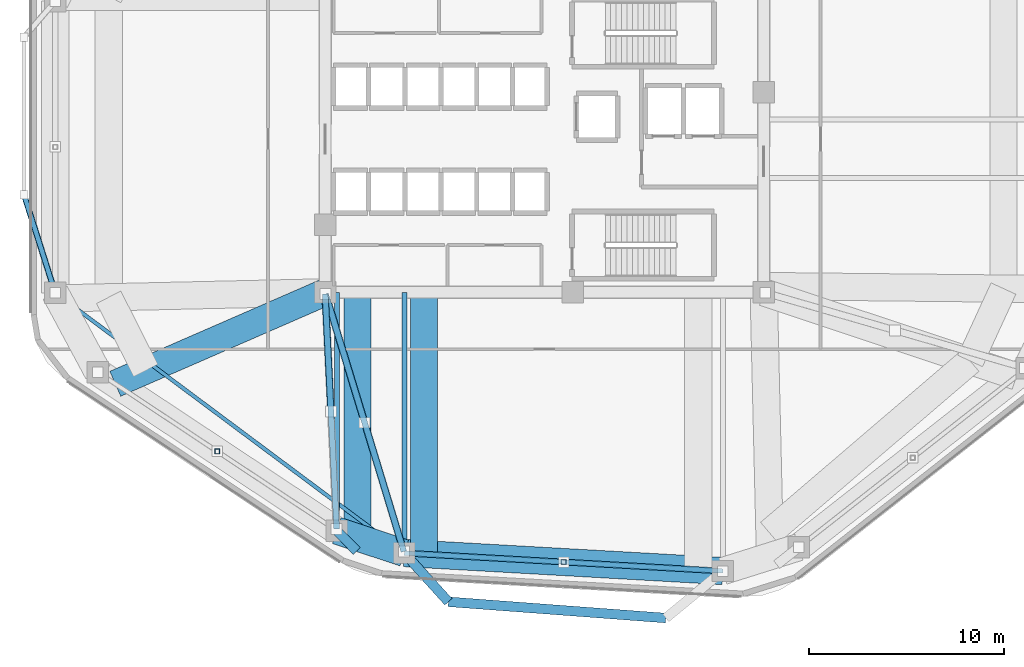
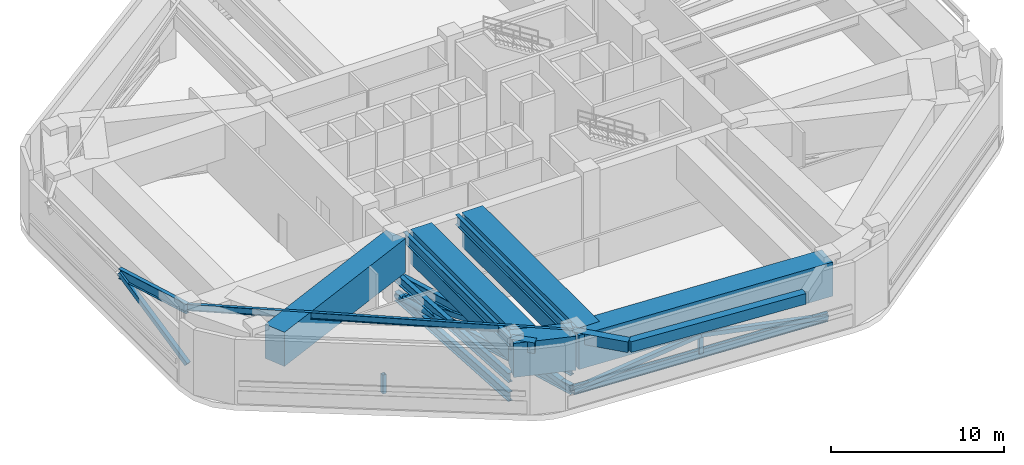
# One storey, part 2 of 12: 13 members, 12 beams.
"""IFC4 building model written with IfcOpenShell, lengths in metres."""

from ifc_helpers import new_model, si_unit, direction, frame, origin, origin_2d, place, context, subcontext, project, spatial, rectangle, hollow_rectangle, hollow_circle, i_section, extrude, material, material_profile, profile_set, type_object, element, save


model = new_model("IFC4")

# Units and contexts
model_context = context("Model", 3, precision=1e-05, world=origin(), true_north=direction((0.0, 1.0)))
body_context = subcontext(model_context, "Body", "Model", "MODEL_VIEW")
ifc_project = project(units=[si_unit("LENGTHUNIT", "METRE"), si_unit("AREAUNIT", "SQUARE_METRE"), si_unit("VOLUMEUNIT", "CUBIC_METRE"), si_unit("PLANEANGLEUNIT", "RADIAN"), si_unit("MASSUNIT", "GRAM", prefix="KILO")], contexts=[model_context])

# Site, building, storey
site_placement = place(None, origin())
site = spatial("IfcSite", under=ifc_project, at=site_placement, CompositionType="ELEMENT")
building_placement = place(site_placement, origin())
building = spatial("IfcBuilding", under=site, at=building_placement, Name="Zulverin Broadcast Headquarters", CompositionType="ELEMENT")
storey_placement = place(building_placement, frame((0.0, 0.0, 120.0)))
storey = spatial("IfcBuildingStorey", under=building, at=storey_placement, Name="L30", CompositionType="ELEMENT", Elevation=120.0)

# Beams
ifc_material_1 = material(Name="Concrete C40/50", Category="concrete")
ifc_material_profile_1 = material_profile(ifc_material_1, rectangle(XDim=0.5, YDim=0.75, at=origin_2d()), Name="Concrete C40/50", Category="concrete")
ifc_profile_set_1 = profile_set([ifc_material_profile_1], Name="Concrete C40/50")
beam_type_1 = type_object("IfcBeamType", Name="BM-RC-500x750", PredefinedType="BEAM", material=ifc_profile_set_1)
beam_1_placement = place(storey_placement, frame((26.3251953125, 5.075927734375, 4.22509765625), z_axis=(0.700101280756, -0.714043553772, 0.0), x_axis=(0.714043553772, 0.700101280756, 0.0)))
element("IfcBeam", 1, at=beam_1_placement, inside=storey, type_object=beam_type_1, Name="L31 Plate Overhang Back-Spanned Beam OVR-16", PredefinedType="BEAM", context=body_context, shape_type="SweptSolid", body=[
    extrude(rectangle(XDim=0.5, YDim=0.75, at=origin_2d()), origin(), (0.0, 0.0, 1.0), 1.470947265625),
])
beam_2_placement = place(storey_placement, frame((29.79638671875, 3.922119140625, 4.22509765625), z_axis=(0.671064576695, -0.741398903361, 0.0), x_axis=(0.741398903361, 0.671064576695, 0.0)))
element("IfcBeam", 2, at=beam_2_placement, inside=storey, type_object=beam_type_1, Name="L31 Balcony Column-Framed Cantilever BAL_S-1", PredefinedType="BEAM", context=body_context, shape_type="SweptSolid", body=[
    extrude(rectangle(XDim=0.5, YDim=0.75, at=origin_2d()), origin(), (0.0, 0.0, 1.0), 3.380859375),
])
beam_3_placement = place(storey_placement, frame((32.065185546875, 1.41552734375, 4.22509765625), z_axis=(0.997224796649, -0.074449344843, 0.0), x_axis=(0.074449344843, 0.997224796649, 0.0)))
element("IfcBeam", 3, at=beam_3_placement, inside=storey, type_object=beam_type_1, Name="L31 Balcony Outer Edge Trimmer Beam BAL_S", PredefinedType="BEAM", context=body_context, shape_type="SweptSolid", body=[
    extrude(rectangle(XDim=0.5, YDim=0.75, at=origin_2d()), origin(), (0.0, 0.0, 1.0), 11.20849609375),
])
ifc_material_2 = material(Name="Concrete C60/75", Category="concrete")
ifc_material_profile_2 = material_profile(ifc_material_2, rectangle(XDim=1.39990234375, YDim=2.39990234375, at=origin_2d()), Name="Concrete C60/75", Category="concrete")
ifc_profile_set_2 = profile_set([ifc_material_profile_2], Name="Concrete C60/75")
beam_type_2 = type_object("IfcBeamType", Name="BM-TG-1400x2400", PredefinedType="USERDEFINED", material=ifc_profile_set_2)
beam_4_placement = place(storey_placement, frame((29.79638671875, 3.922119140625, 3.39990234375), z_axis=(0.998411385104, -0.056344530297, 0.0), x_axis=(0.056344530297, 0.998411385104, 0.0)))
element("IfcBeam", 4, at=beam_4_placement, inside=storey, type_object=beam_type_2, Name="L30 Perimeter Transfer Ring Girder SP-01", ObjectType="TRANSFER GIRDER", PredefinedType="USERDEFINED", context=body_context, shape_type="SweptSolid", body=[
    extrude(rectangle(XDim=1.39990234375, YDim=2.39990234375, at=origin_2d()), origin(), (0.0, 0.0, 1.0), 16.40478515625),
])
beam_5_placement = place(storey_placement, frame((26.3251953125, 5.075927734375, 3.39990234375), z_axis=(0.948949931395, -0.315426739047, 0.0), x_axis=(0.315426739047, 0.948949931395, 0.0)))
element("IfcBeam", 5, at=beam_5_placement, inside=storey, type_object=beam_type_2, Name="L30 Perimeter Transfer Ring Girder SP-16", ObjectType="TRANSFER GIRDER", PredefinedType="USERDEFINED", context=body_context, shape_type="SweptSolid", body=[
    extrude(rectangle(XDim=1.39990234375, YDim=2.39990234375, at=origin_2d()), origin(), (0.0, 0.0, 1.0), 3.657958984375),
])
beam_6_placement = place(storey_placement, frame((30.80859375, 17.324951171875, 3.39990234375), z_axis=(0.0, -1.0, 0.0), x_axis=(1.0, 0.0, 0.0)))
element("IfcBeam", 6, at=beam_6_placement, inside=storey, type_object=beam_type_2, Name="L31 Step Transfer Girder TG-01", ObjectType="TRANSFER GIRDER", PredefinedType="USERDEFINED", context=body_context, shape_type="SweptSolid", body=[
    extrude(rectangle(XDim=1.39990234375, YDim=2.39990234375, at=origin_2d()), origin(), (0.0, 0.0, 1.0), 13.4599609375),
])
beam_7_placement = place(storey_placement, frame((25.72509765625, 17.324951171875, 3.39990234375), z_axis=(-0.916728310929, -0.399511206277, 0.0), x_axis=(0.399511206277, -0.916728310929, 0.0)))
element("IfcBeam", 7, at=beam_7_placement, inside=storey, type_object=beam_type_2, Name="L31 Step Transfer Girder TG-15", ObjectType="TRANSFER GIRDER", PredefinedType="USERDEFINED", context=body_context, shape_type="SweptSolid", body=[
    extrude(rectangle(XDim=1.39990234375, YDim=2.39990234375, at=origin_2d()), origin(), (0.0, 0.0, 1.0), 11.7666015625),
])
beam_8_placement = place(storey_placement, frame((27.38720703125, 17.324951171875, 3.39990234375), z_axis=(0.0, -1.0, 0.0), x_axis=(1.0, 0.0, 0.0)))
element("IfcBeam", 8, at=beam_8_placement, inside=storey, type_object=beam_type_2, Name="L31 Step Transfer Girder TG-16", ObjectType="TRANSFER GIRDER", PredefinedType="USERDEFINED", context=body_context, shape_type="SweptSolid", body=[
    extrude(rectangle(XDim=1.39990234375, YDim=2.39990234375, at=origin_2d()), origin(), (0.0, 0.0, 1.0), 12.60205078125),
])
ifc_material_3 = material(Name="Structural steel S355JR", Category="steel")
ifc_material_profile_3 = material_profile(ifc_material_3, i_section(OverallWidth=0.19287109375, OverallDepth=0.46728515625, WebThickness=0.011474609375, FlangeThickness=0.01953125, at=origin_2d()), Name="Structural steel S355JR", Category="steel")
ifc_profile_set_3 = profile_set([ifc_material_profile_3], Name="Structural steel S355JR")
beam_type_3 = type_object("IfcBeamType", Name="BM-UB-457", PredefinedType="JOIST", material=ifc_profile_set_3)
beam_9_placement = place(storey_placement, frame((11.85009765625, 17.297607421875, 4.366455078125), z_axis=(0.801802688634, -0.59758886243, 0.0), x_axis=(0.59758886243, 0.801802688634, 0.0)))
element("IfcBeam", 9, at=beam_9_placement, inside=storey, type_object=beam_type_3, Name="L30 Chordal Floor Joist J-04", PredefinedType="JOIST", context=body_context, shape_type="SweptSolid", body=[
    extrude(i_section(OverallWidth=0.19287109375, OverallDepth=0.46728515625, WebThickness=0.011474609375, FlangeThickness=0.01953125, at=origin_2d()), origin(), (0.0, 0.0, 1.0), 22.38232421875),
])
ifc_material_profile_4 = material_profile(ifc_material_3, i_section(OverallWidth=0.255859375, OverallDepth=0.69287109375, WebThickness=0.014404296875, FlangeThickness=0.023681640625, at=origin_2d()), Name="Structural steel S355JR", Category="steel")
ifc_profile_set_4 = profile_set([ifc_material_profile_4], Name="Structural steel S355JR")
beam_type_4 = type_object("IfcBeamType", Name="BM-UB-686", PredefinedType="BEAM", material=ifc_profile_set_4)
beam_10_placement = place(storey_placement, frame((29.79638671875, 17.324951171875, 4.25341796875), z_axis=(0.0, -1.0, 0.0), x_axis=(1.0, 0.0, 0.0)))
element("IfcBeam", 10, at=beam_10_placement, inside=storey, type_object=beam_type_4, Name="L30 Radial Primary Floor Beam RB-01", PredefinedType="BEAM", context=body_context, shape_type="SweptSolid", body=[
    extrude(i_section(OverallWidth=0.255859375, OverallDepth=0.69287109375, WebThickness=0.014404296875, FlangeThickness=0.023681640625, at=origin_2d()), origin(), (0.0, 0.0, 1.0), 13.40283203125),
])
beam_11_placement = place(storey_placement, frame((26.3251953125, 17.324951171875, 4.25341796875), z_axis=(0.0, -1.0, 0.0), x_axis=(1.0, 0.0, 0.0)))
element("IfcBeam", 11, at=beam_11_placement, inside=storey, type_object=beam_type_4, Name="L30 Radial Primary Floor Beam RB-16", PredefinedType="BEAM", context=body_context, shape_type="SweptSolid", body=[
    extrude(i_section(OverallWidth=0.255859375, OverallDepth=0.69287109375, WebThickness=0.014404296875, FlangeThickness=0.023681640625, at=origin_2d()), origin(), (0.0, 0.0, 1.0), 12.2490234375),
])
beam_12_placement = place(storey_placement, frame((11.85009765625, 17.297607421875, 4.25341796875), z_axis=(-0.302460678474, 0.953161863472, 0.0), x_axis=(-0.953161863472, -0.302460678474, 0.0)))
element("IfcBeam", 12, at=beam_12_placement, inside=storey, type_object=beam_type_4, Name="L31 Studio Box Base Cantilever Girder SBOX_SKY1_W-1", PredefinedType="BEAM", context=body_context, shape_type="SweptSolid", body=[
    extrude(i_section(OverallWidth=0.255859375, OverallDepth=0.69287109375, WebThickness=0.014404296875, FlangeThickness=0.023681640625, at=origin_2d()), origin(), (0.0, 0.0, 1.0), 5.290283203125),
])

# Members
ifc_material_profile_5 = material_profile(ifc_material_3, i_section(OverallWidth=0.230224609375, OverallDepth=0.6171875, WebThickness=0.01318359375, FlangeThickness=0.022216796875, at=origin_2d()), Name="Structural steel S355JR", Category="steel")
ifc_profile_set_5 = profile_set([ifc_material_profile_5], Name="Structural steel S355JR")
member_type_1 = type_object("IfcMemberType", Name="MBR-BLT-CHORD", PredefinedType="CHORD", material=ifc_profile_set_5)
member_1_placement = place(storey_placement, frame((29.79638671875, 3.922119140625, 0.35009765625), z_axis=(0.998411385104, -0.056344530297, 0.0), x_axis=(0.056344530297, 0.998411385104, 0.0)))
element("IfcMember", 13, at=member_1_placement, inside=storey, type_object=member_type_1, Name="L30 Belt Truss Bottom Chord BC-01", PredefinedType="CHORD", context=body_context, shape_type="SweptSolid", body=[
    extrude(i_section(OverallWidth=0.230224609375, OverallDepth=0.6171875, WebThickness=0.01318359375, FlangeThickness=0.022216796875, at=origin_2d()), origin(), (0.0, 0.0, 1.0), 16.40478515625),
])
ifc_material_profile_6 = material_profile(ifc_material_3, hollow_rectangle(XDim=0.300048828125, YDim=0.300048828125, WallThickness=0.01611328125, at=origin_2d()), Name="Structural steel S355JR", Category="steel")
ifc_profile_set_6 = profile_set([ifc_material_profile_6], Name="Structural steel S355JR")
member_type_2 = type_object("IfcMemberType", Name="MBR-BLT-DIAG1", PredefinedType="BRACE", material=ifc_profile_set_6)
member_2_placement = place(storey_placement, frame((11.85009765625, 17.297607421875, 0.35009765625), z_axis=(-0.242358277185, 0.763757683397, 0.598278084617), x_axis=(-0.953161863472, -0.302460678474, 0.0)))
element("IfcMember", 14, at=member_2_placement, inside=storey, type_object=member_type_2, Name="L31 Studio Box Base Knee Brace SBOX_SKY1_W-1", PredefinedType="BRACE", context=body_context, shape_type="SweptSolid", body=[
    extrude(hollow_rectangle(XDim=0.300048828125, YDim=0.300048828125, WallThickness=0.01611328125, at=origin_2d()), origin(), (0.0, 0.0, 1.0), 6.602294921875),
])
member_3_placement = place(storey_placement, frame((29.79638671875, 3.922119140625, 0.35009765625), z_axis=(0.985542215857, -0.05561909831, 0.160040796881), x_axis=(0.056345367515, 0.998411337856, 0.0)))
element("IfcMember", 15, at=member_3_placement, inside=storey, type_object=member_type_2, Name="L30 Belt Truss Diagonal Brace BD-01A", PredefinedType="BRACE", context=body_context, shape_type="SweptSolid", body=[
    extrude(hollow_rectangle(XDim=0.300048828125, YDim=0.300048828125, WallThickness=0.01611328125, at=origin_2d()), origin(), (0.0, 0.0, 1.0), 8.309326171875),
])
member_4_placement = place(storey_placement, frame((46.175048828125, 2.997802734375, 0.35009765625), z_axis=(-0.985543059261, 0.055617487812, 0.160036162765), x_axis=(-0.056343693103, -0.99841143235, 0.0)))
element("IfcMember", 16, at=member_4_placement, inside=storey, type_object=member_type_2, Name="L30 Belt Truss Diagonal Brace BD-01B", PredefinedType="BRACE", context=body_context, shape_type="SweptSolid", body=[
    extrude(hollow_rectangle(XDim=0.300048828125, YDim=0.300048828125, WallThickness=0.01611328125, at=origin_2d()), origin(), (0.0, 0.0, 1.0), 8.3095703125),
])
ifc_material_profile_7 = material_profile(ifc_material_3, hollow_rectangle(XDim=0.25, YDim=0.25, WallThickness=0.01611328125, at=origin_2d()), Name="Structural steel S355JR", Category="steel")
ifc_profile_set_7 = profile_set([ifc_material_profile_7], Name="Structural steel S355JR")
member_type_3 = type_object("IfcMemberType", Name="MBR-BLT-POST", PredefinedType="POST", material=ifc_profile_set_7)
for number, where, z_axis, x_axis, name in (
    (17, (37.985595703125, 3.4599609375, 0.35009765625), (0.0, 0.0, 1.0), (1.0, 0.0, 0.0), "L30 Belt Truss King Post BP-01"),
    (18, (20.18212890625, 9.14794921875, 0.35009765625), (0.0, 0.0, 1.0), (1.0, 0.0, 0.0), "L30 Belt Truss King Post BP-08"),
):
    element("IfcMember", number, at=place(storey_placement, frame(where, z_axis=z_axis, x_axis=x_axis)), inside=storey, type_object=member_type_3, Name=name, PredefinedType="POST", context=body_context, shape_type="SweptSolid", body=[
        extrude(hollow_rectangle(XDim=0.25, YDim=0.25, WallThickness=0.01611328125, at=origin_2d()), origin(), (0.0, 0.0, 1.0), 1.329833984375),
    ])
ifc_material_4 = material(Name="Structural steel S460M", Category="steel")
ifc_material_profile_8 = material_profile(ifc_material_4, i_section(OverallWidth=0.300048828125, OverallDepth=0.64990234375, WebThickness=0.01611328125, FlangeThickness=0.031005859375, at=origin_2d()), Name="Structural steel S460M", Category="steel")
ifc_profile_set_8 = profile_set([ifc_material_profile_8], Name="Structural steel S460M")
member_type_4 = type_object("IfcMemberType", Name="MBR-OUT-CHORD", PredefinedType="CHORD", material=ifc_profile_set_8)
for number, where, z_axis, x_axis, name in (
    (19, (25.748291015625, 17.24853515625, 0.35009765625), (0.290641011415, -0.956832170489, 0.0), (0.956832170489, 0.290641011415, 0.0), "L30 Outrigger Truss Bottom Chord OC-01"),
    (20, (25.748291015625, 17.24853515625, 1.679931640625), (0.290641011415, -0.956832170489, 0.0), (0.956832170489, 0.290641011415, 0.0), "L30 Outrigger Truss Upper Chord OTC-01"),
):
    element("IfcMember", number, at=place(storey_placement, frame(where, z_axis=z_axis, x_axis=x_axis)), inside=storey, type_object=member_type_4, Name=name, PredefinedType="CHORD", context=body_context, shape_type="SweptSolid", body=[
        extrude(i_section(OverallWidth=0.300048828125, OverallDepth=0.64990234375, WebThickness=0.01611328125, FlangeThickness=0.031005859375, at=origin_2d()), origin(), (0.0, 0.0, 1.0), 13.847412109375),
    ])
for number, where, z_axis, x_axis, name in (
    (21, (25.72900390625, 17.2451171875, 0.35009765625), (0.048933594546, -0.998802034101, 0.0), (0.998802034101, 0.048933594546, 0.0), "L30 Outrigger Truss Bottom Chord OC-06"),
    (22, (25.72900390625, 17.2451171875, 1.679931640625), (0.048933594546, -0.998802034101, 0.0), (0.998802034101, 0.048933594546, 0.0), "L30 Outrigger Truss Upper Chord OTC-06"),
):
    element("IfcMember", number, at=place(storey_placement, frame(where, z_axis=z_axis, x_axis=x_axis)), inside=storey, type_object=member_type_4, Name=name, PredefinedType="CHORD", context=body_context, shape_type="SweptSolid", body=[
        extrude(i_section(OverallWidth=0.300048828125, OverallDepth=0.64990234375, WebThickness=0.01611328125, FlangeThickness=0.031005859375, at=origin_2d()), origin(), (0.0, 0.0, 1.0), 12.103759765625),
    ])
ifc_material_profile_9 = material_profile(ifc_material_4, hollow_rectangle(XDim=0.35009765625, YDim=0.35009765625, WallThickness=0.02001953125, at=origin_2d()), Name="Structural steel S460M", Category="steel")
ifc_profile_set_9 = profile_set([ifc_material_profile_9], Name="Structural steel S460M")
member_type_5 = type_object("IfcMemberType", Name="MBR-OUT-DIAG1", PredefinedType="BRACE", material=ifc_profile_set_9)
for number, where, z_axis, x_axis, name in (
    (23, (25.748291015625, 17.24853515625, 0.35009765625), (0.285403472473, -0.939663750184, 0.188618383227), (0.956838562467, 0.29061996727, 0.0), "L30 Outrigger Truss Diagonal Brace OD-01A"),
    (24, (29.77294921875, 3.998779296875, 0.35009765625), (-0.285444567085, 0.939650409783, 0.188622656425), (-0.956825777899, -0.290662055914, 0.0), "L30 Outrigger Truss Diagonal Brace OD-01B"),
):
    element("IfcMember", number, at=place(storey_placement, frame(where, z_axis=z_axis, x_axis=x_axis)), inside=storey, type_object=member_type_5, Name=name, PredefinedType="BRACE", context=body_context, shape_type="SweptSolid", body=[
        extrude(hollow_rectangle(XDim=0.35009765625, YDim=0.35009765625, WallThickness=0.02001953125, at=origin_2d()), origin(), (0.0, 0.0, 1.0), 7.05029296875),
    ])
ifc_material_profile_10 = material_profile(ifc_material_4, hollow_circle(Radius=0.177734375, WallThickness=0.01611328125, at=origin_2d()), Name="Structural steel S460M", Category="steel")
ifc_profile_set_10 = profile_set([ifc_material_profile_10], Name="Structural steel S460M")
member_type_6 = type_object("IfcMemberType", Name="MBR-OUT-DIAG2", PredefinedType="BRACE", material=ifc_profile_set_10)
member_5_placement = place(storey_placement, frame((25.72900390625, 17.2451171875, 0.35009765625), z_axis=(0.047793357959, -0.97552823553, 0.214616999836), x_axis=(0.998802034101, 0.048933594546, 0.0)))
element("IfcMember", 25, at=member_5_placement, inside=storey, type_object=member_type_6, Name="L30 Outrigger Truss Diagonal Brace OD-06A", PredefinedType="BRACE", context=body_context, shape_type="SweptSolid", body=[
    extrude(hollow_circle(Radius=0.177734375, WallThickness=0.01611328125, at=origin_2d()), origin(), (0.0, 0.0, 1.0), 6.1962890625),
])

save(model, "model.ifc")
